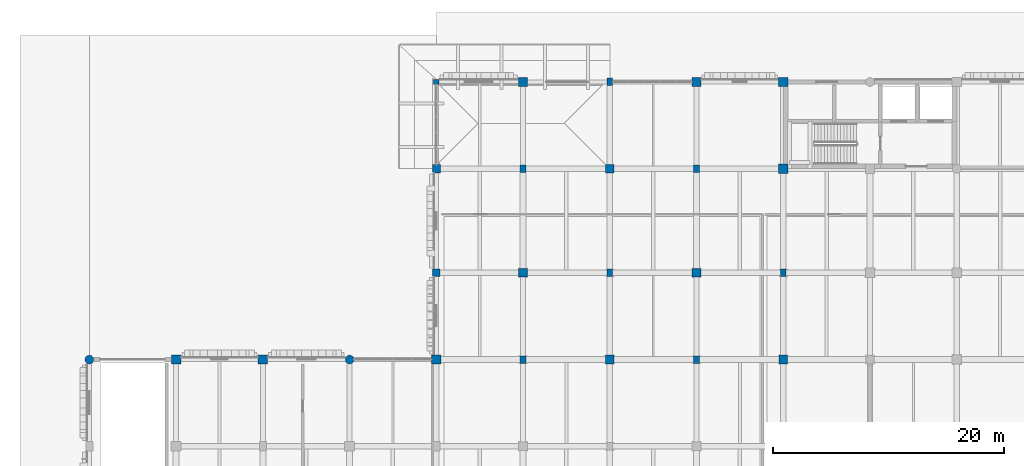
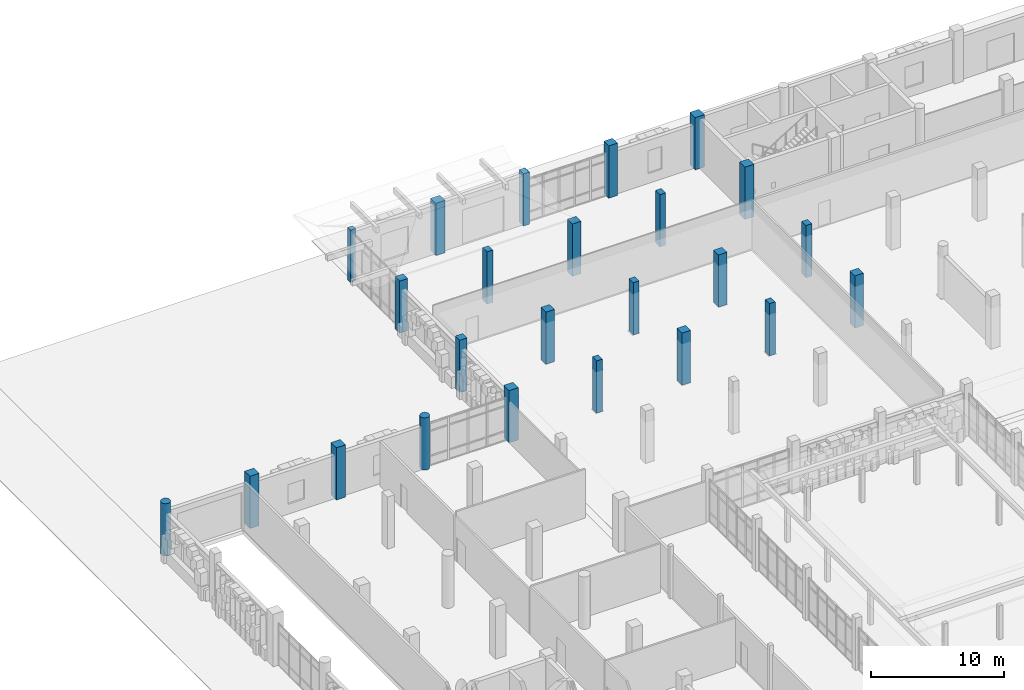
# One storey, part 9 of 125: 24 columns.
"""IFC4 building model written with IfcOpenShell, lengths in metres."""

import ifcopenshell
import ifcopenshell.guid

model = None  # the IFC model being written
_history = None  # IfcOwnerHistory: only IFC2X3 demands one
_inside = {}  # id of a spatial element -> (the spatial element, [elements in it])
_under = {}  # id of a project, library or spatial element -> (it, [spatial elements below it])
_declared = {}  # id of a project -> (the project, [libraries it declares])
_typed = {}  # id of a type object -> (the type object, [elements of that type])
_made_of = {}  # id of a material, layer set ... -> (it, [elements and type objects made of it])


def new_model(schema):
    """Start an empty IFC model of exactly this schema.

    Asked for "IFC4X3", IfcOpenShell would pick the latest addendum, in which some entities
    have other attributes; the version numbers below select the first issue.
    IFC2X3 requires an IfcOwnerHistory on every rooted entity: one is made here for all.
    """
    global model, _history
    if schema == "IFC4X3":
        model = ifcopenshell.file(schema_version=(4, 3, 0, 0))
    else:
        model = ifcopenshell.file(schema=schema)
    _inside.clear()
    _under.clear()
    _declared.clear()
    _typed.clear()
    _made_of.clear()
    _history = None
    if model.schema == "IFC2X3":
        org = make("IfcOrganization", Name="unknown")
        user = make(
            "IfcPersonAndOrganization",
            ThePerson=make("IfcPerson", FamilyName="unknown"),
            TheOrganization=org,
        )
        app = make(
            "IfcApplication",
            ApplicationDeveloper=org,
            Version="unknown",
            ApplicationFullName="unknown",
            ApplicationIdentifier="unknown",
        )
        _history = make(
            "IfcOwnerHistory",
            OwningUser=user,
            OwningApplication=app,
            ChangeAction="ADDED",
            CreationDate=0,
        )
    return model


def make(cls, **values):
    """One entity of the class cls with the attributes given. An attribute that is None is left unset."""
    return model.create_entity(
        cls, **{name: value for name, value in values.items() if value is not None}
    )


def rooted(cls, **values):
    """An entity with a GlobalId (a new one), such as an element, a storey or a relation."""
    return make(cls, GlobalId=ifcopenshell.guid.new(), OwnerHistory=_history, **values)


def si_unit(unit_type, name, prefix=None):
    """IfcSIUnit, for example si_unit("LENGTHUNIT", "METRE", prefix="MILLI")."""
    return make("IfcSIUnit", UnitType=unit_type, Prefix=prefix, Name=name)


def assignment(units):
    """IfcUnitAssignment: the units of a project."""
    return None if units is None else make("IfcUnitAssignment", Units=units)


def point(xyz):
    """IfcCartesianPoint."""
    return None if xyz is None else make("IfcCartesianPoint", Coordinates=xyz)


def direction(xyz):
    """IfcDirection."""
    return None if xyz is None else make("IfcDirection", DirectionRatios=xyz)


def frame(location, z_axis=None, x_axis=None):
    """IfcAxis2Placement3D, a coordinate frame: its origin and axes. An axis left out is left unset."""
    return make(
        "IfcAxis2Placement3D",
        Location=point(location),
        Axis=direction(z_axis),
        RefDirection=direction(x_axis),
    )


def frame_2d(location, x_axis=None):
    """IfcAxis2Placement2D, a coordinate frame in the plane: its origin and x axis."""
    return make(
        "IfcAxis2Placement2D", Location=point(location), RefDirection=direction(x_axis)
    )


def origin():
    """The frame at (0, 0, 0) with its axes left unset."""
    return frame((0.0, 0.0, 0.0))


def origin_2d():
    """The frame at (0, 0) in the plane with its x axis left unset."""
    return frame_2d((0.0, 0.0))


def place(relative_to, where):
    """IfcLocalPlacement: puts the frame where relative to a parent placement (None: the world)."""
    return make(
        "IfcLocalPlacement", PlacementRelTo=relative_to, RelativePlacement=where
    )


def context(
    kind, dimensions, precision=None, world=None, true_north=None, identifier=None
):
    """IfcGeometricRepresentationContext, for example the 3D "Model" context."""
    return make(
        "IfcGeometricRepresentationContext",
        ContextIdentifier=identifier,
        ContextType=kind,
        CoordinateSpaceDimension=dimensions,
        Precision=precision,
        WorldCoordinateSystem=world,
        TrueNorth=true_north,
    )


def subcontext(parent, identifier, kind, view, scale=None):
    """IfcGeometricRepresentationSubContext, for example "Body" below "Model"."""
    return make(
        "IfcGeometricRepresentationSubContext",
        ContextIdentifier=identifier,
        ContextType=kind,
        ParentContext=parent,
        TargetScale=scale,
        TargetView=view,
    )


def project(units=None, contexts=None):
    """IfcProject with its units and contexts."""
    return rooted(
        "IfcProject",
        Name="project",
        RepresentationContexts=contexts,
        UnitsInContext=assignment(units),
    )


def spatial(cls, under=None, at=None, **own):
    """A site, building, storey or space (cls), placed at a placement, below another one or the project."""
    s = rooted(cls, ObjectPlacement=at, **own)
    if under is not None:
        _under.setdefault(under.id(), (under, []))[1].append(s)
    return s


def profile(cls, at=None, kind="AREA", **sizes):
    """A parametric profile (cls). Its sizes go by their IFC names, for example OverallWidth=200.0."""
    return make(cls, ProfileType=kind, Position=at, **sizes)


def rectangle(**sizes):
    """IfcRectangleProfileDef."""
    return profile("IfcRectangleProfileDef", **sizes)


def circle(**sizes):
    """IfcCircleProfileDef."""
    return profile("IfcCircleProfileDef", **sizes)


def extrude(swept, where, along, depth):
    """IfcExtrudedAreaSolid: the profile swept, set in the frame where, extruded along a direction by depth."""
    return make(
        "IfcExtrudedAreaSolid",
        SweptArea=swept,
        Position=where,
        ExtrudedDirection=direction(along),
        Depth=depth,
    )


def shape(context_of_items, identifier, shape_type, items):
    """IfcShapeRepresentation: the items that make up one representation, for example the "Body"."""
    return make(
        "IfcShapeRepresentation",
        ContextOfItems=context_of_items,
        RepresentationIdentifier=identifier,
        RepresentationType=shape_type,
        Items=items,
    )


def material(Name=None, Category=None):
    """IfcMaterial."""
    return make("IfcMaterial", Name=Name, Category=Category)


def material_profile(
    of_material, cross_section, Name=None, Category=None, Priority=None
):
    """IfcMaterialProfile: a cross section and its material."""
    return make(
        "IfcMaterialProfile",
        Name=Name,
        Material=of_material,
        Profile=cross_section,
        Priority=Priority,
        Category=Category,
    )


def profile_set(profiles, Name=None, composite=None):
    """IfcMaterialProfileSet."""
    return make(
        "IfcMaterialProfileSet",
        Name=Name,
        MaterialProfiles=profiles,
        CompositeProfile=composite,
    )


def made_of(thing, what):
    """Note that an element or type object is made of a material, layer set ...; save() writes the relation."""
    if what is not None:
        _made_of.setdefault(what.id(), (what, []))[1].append(thing)
    return thing


def type_object(cls, material=None, **own):
    """A type object (cls), such as IfcWallType, which elements share."""
    return made_of(rooted(cls, **own), material)


def element(
    cls,
    number,
    at=None,
    inside=None,
    cuts=None,
    type_object=None,
    material=None,
    context=None,
    identifier="Body",
    shape_type=None,
    held_by="IfcProductDefinitionShape",
    body=None,
    shapes=None,
    **own,
):
    """One element of the class cls, such as IfcWall. Its Tag is "e" and its number.

    at: its placement. inside: the storey or other place that contains it. cuts: it is an
    opening in that element (IfcRelVoidsElement). A single representation is given by context,
    identifier, shape_type and body (its items); several are given by shapes. held_by: the class
    of the entity that holds the representations. save() writes the other relations.
    """
    e = rooted(cls, Tag="e%d" % number, ObjectPlacement=at, **own)
    if body is not None:
        shapes = [shape(context, identifier, shape_type, body)]
    if shapes is not None:
        e.Representation = make(held_by, Representations=shapes)
    if inside is not None:
        _inside.setdefault(inside.id(), (inside, []))[1].append(e)
    if cuts is not None:
        rooted(
            "IfcRelVoidsElement", RelatingBuildingElement=cuts, RelatedOpeningElement=e
        )
    if type_object is not None:
        _typed.setdefault(type_object.id(), (type_object, []))[1].append(e)
    return made_of(e, material)


def aggregate(whole, parts):
    """IfcRelAggregates: a whole, such as a stair, and the parts it consists of."""
    return rooted("IfcRelAggregates", RelatingObject=whole, RelatedObjects=parts)


def save(model, path):
    """Write the relations noted so far, then the file.

    IfcRelAggregates (storeys below a building ...), IfcRelContainedInSpatialStructure (elements
    in a storey), IfcRelDefinesByType, IfcRelAssociatesMaterial and IfcRelDeclares: one each for
    every whole, place, type object, material and project.
    """
    for whole, parts in _under.values():
        aggregate(whole, parts)
    for where, things in _inside.values():
        rooted(
            "IfcRelContainedInSpatialStructure",
            RelatedElements=things,
            RelatingStructure=where,
        )
    for kind, things in _typed.values():
        rooted("IfcRelDefinesByType", RelatedObjects=things, RelatingType=kind)
    for what, things in _made_of.values():
        rooted("IfcRelAssociatesMaterial", RelatedObjects=things, RelatingMaterial=what)
    for by, libraries in _declared.values():
        rooted("IfcRelDeclares", RelatingContext=by, RelatedDefinitions=libraries)
    model.write(path)


model = new_model("IFC4")

# Units and contexts
model_context = context("Model", 3, precision=1e-05, world=origin(), true_north=direction((0.0, 1.0)))
body_context = subcontext(model_context, "Body", "Model", "MODEL_VIEW")
ifc_project = project(units=[si_unit("LENGTHUNIT", "METRE"), si_unit("AREAUNIT", "SQUARE_METRE"), si_unit("VOLUMEUNIT", "CUBIC_METRE"), si_unit("PLANEANGLEUNIT", "RADIAN"), si_unit("MASSUNIT", "GRAM", prefix="KILO")], contexts=[model_context])

# Site, building, storey
site_placement = place(None, origin())
site = spatial("IfcSite", under=ifc_project, at=site_placement, CompositionType="ELEMENT")
building_placement = place(site_placement, origin())
building = spatial("IfcBuilding", under=site, at=building_placement, Name="Dalvernix Boulevard General Hospital", CompositionType="ELEMENT")
storey_placement = place(building_placement, origin())
storey = spatial("IfcBuildingStorey", under=building, at=storey_placement, Name="L00", CompositionType="ELEMENT", Elevation=0.0)

# Columns
ifc_material = material(Name="Concrete C40/50", Category="concrete")
ifc_material_profile_1 = material_profile(ifc_material, rectangle(XDim=0.800048828125, YDim=0.800048828125, at=origin_2d()), Name="RC 800x800")
ifc_profile_set_1 = profile_set([ifc_material_profile_1], Name="Concrete C40/50")
column_type_1 = type_object("IfcColumnType", Name="COL-C-03-E", PredefinedType="COLUMN", material=ifc_profile_set_1)
for number, where, z_axis, x_axis, name in (
    (1, (7.5, 93.0, 0.0), (0.0, 0.0, 1.0), (1.0, 0.0, 0.0), "L00 column 2N"),
    (2, (15.0, 93.0, 0.0), (0.0, 0.0, 1.0), (1.0, 0.0, 0.0), "L00 column 3N"),
    (3, (30.0, 93.0, 0.0), (0.0, 0.0, 1.0), (1.0, 0.0, 0.0), "L00 column 5N"),
    (4, (37.5, 117.0, 0.0), (0.0, 0.0, 1.0), (1.0, 0.0, 0.0), "L00 column 6R"),
    (5, (60.0, 117.0, 0.0), (0.0, 0.0, 1.0), (1.0, 0.0, 0.0), "L00 column 9R"),
):
    element("IfcColumn", number, at=place(storey_placement, frame(where, z_axis=z_axis, x_axis=x_axis)), inside=storey, type_object=column_type_1, Name=name, PredefinedType="COLUMN", context=body_context, shape_type="SweptSolid", body=[
        extrude(rectangle(XDim=0.800048828125, YDim=0.800048828125, at=origin_2d()), origin(), (0.0, 0.0, 1.0), 4.800048828125),
    ])
ifc_material_profile_2 = material_profile(ifc_material, rectangle(XDim=0.800048828125, YDim=0.800048828125, at=origin_2d()), Name="RC 800x800")
ifc_profile_set_2 = profile_set([ifc_material_profile_2], Name="Concrete C40/50")
column_type_2 = type_object("IfcColumnType", Name="COL-C-03-I", PredefinedType="COLUMN", material=ifc_profile_set_2)
column_1_placement = place(storey_placement, frame((60.0, 109.5, 0.0), z_axis=(0.0, 0.0, 1.0), x_axis=(1.0, 0.0, 0.0)))
element("IfcColumn", 6, at=column_1_placement, inside=storey, type_object=column_type_2, Name="L00 column 9Q", PredefinedType="COLUMN", context=body_context, shape_type="SweptSolid", body=[
    extrude(rectangle(XDim=0.800048828125, YDim=0.800048828125, at=origin_2d()), origin(), (0.0, 0.0, 1.0), 4.800048828125),
])
ifc_material_profile_3 = material_profile(ifc_material, rectangle(XDim=0.75, YDim=0.75, at=origin_2d()), Name="RC 750x750")
ifc_profile_set_3 = profile_set([ifc_material_profile_3], Name="Concrete C40/50")
column_type_3 = type_object("IfcColumnType", Name="COL-C-04-E", PredefinedType="COLUMN", material=ifc_profile_set_3)
column_2_placement = place(storey_placement, frame((52.5, 117.0, 0.0), z_axis=(0.0, 0.0, 1.0), x_axis=(1.0, 0.0, 0.0)))
element("IfcColumn", 7, at=column_2_placement, inside=storey, type_object=column_type_3, Name="L00 column 8R", PredefinedType="COLUMN", context=body_context, shape_type="SweptSolid", body=[
    extrude(rectangle(XDim=0.75, YDim=0.75, at=origin_2d()), origin(), (0.0, 0.0, 1.0), 4.800048828125),
])
ifc_material_profile_4 = material_profile(ifc_material, rectangle(XDim=0.75, YDim=0.75, at=origin_2d()), Name="RC 750x750")
ifc_profile_set_4 = profile_set([ifc_material_profile_4], Name="Concrete C40/50")
column_type_4 = type_object("IfcColumnType", Name="COL-C-04-I", PredefinedType="COLUMN", material=ifc_profile_set_4)
for number, where, z_axis, x_axis, name in (
    (8, (37.5, 100.5, 0.0), (0.0, 0.0, 1.0), (1.0, 0.0, 0.0), "L00 column 6P"),
    (9, (45.0, 93.0, 0.0), (0.0, 0.0, 1.0), (1.0, 0.0, 0.0), "L00 column 7N"),
    (10, (45.0, 109.5, 0.0), (0.0, 0.0, 1.0), (1.0, 0.0, 0.0), "L00 column 7Q"),
    (11, (52.5, 100.5, 0.0), (0.0, 0.0, 1.0), (1.0, 0.0, 0.0), "L00 column 8P"),
    (12, (60.0, 93.0, 0.0), (0.0, 0.0, 1.0), (1.0, 0.0, 0.0), "L00 column 9N"),
):
    element("IfcColumn", number, at=place(storey_placement, frame(where, z_axis=z_axis, x_axis=x_axis)), inside=storey, type_object=column_type_4, Name=name, PredefinedType="COLUMN", context=body_context, shape_type="SweptSolid", body=[
        extrude(rectangle(XDim=0.75, YDim=0.75, at=origin_2d()), origin(), (0.0, 0.0, 1.0), 4.800048828125),
    ])
ifc_material_profile_5 = material_profile(ifc_material, rectangle(XDim=0.699951171875, YDim=0.699951171875, at=origin_2d()), Name="RC 700x700")
ifc_profile_set_5 = profile_set([ifc_material_profile_5], Name="Concrete C40/50")
column_type_5 = type_object("IfcColumnType", Name="COL-C-05-E", PredefinedType="COLUMN", material=ifc_profile_set_5)
column_3_placement = place(storey_placement, frame((30.0, 109.5, 0.0), z_axis=(0.0, 0.0, 1.0), x_axis=(1.0, 0.0, 0.0)))
element("IfcColumn", 13, at=column_3_placement, inside=storey, type_object=column_type_5, Name="L00 column 5Q", PredefinedType="COLUMN", context=body_context, shape_type="SweptSolid", body=[
    extrude(rectangle(XDim=0.699951171875, YDim=0.699951171875, at=origin_2d()), origin(), (0.0, 0.0, 1.0), 4.800048828125),
])
ifc_material_profile_6 = material_profile(ifc_material, rectangle(XDim=0.64990234375, YDim=0.64990234375, at=origin_2d()), Name="RC 650x650")
ifc_profile_set_6 = profile_set([ifc_material_profile_6], Name="Concrete C40/50")
column_type_6 = type_object("IfcColumnType", Name="COL-C-06-E", PredefinedType="COLUMN", material=ifc_profile_set_6)
column_4_placement = place(storey_placement, frame((30.0, 100.5, 0.0), z_axis=(0.0, 0.0, 1.0), x_axis=(1.0, 0.0, 0.0)))
element("IfcColumn", 14, at=column_4_placement, inside=storey, type_object=column_type_6, Name="L00 column 5P", PredefinedType="COLUMN", context=body_context, shape_type="SweptSolid", body=[
    extrude(rectangle(XDim=0.64990234375, YDim=0.64990234375, at=origin_2d()), origin(), (0.0, 0.0, 1.0), 4.800048828125),
])
ifc_material_profile_7 = material_profile(ifc_material, rectangle(XDim=0.449951171875, YDim=0.449951171875, at=origin_2d()), Name="RC 450x450")
ifc_profile_set_7 = profile_set([ifc_material_profile_7], Name="Concrete C40/50")
column_type_7 = type_object("IfcColumnType", Name="COL-C-10-E", PredefinedType="COLUMN", material=ifc_profile_set_7)
column_5_placement = place(storey_placement, frame((30.0, 117.0, 0.0), z_axis=(0.0, 0.0, 1.0), x_axis=(1.0, 0.0, 0.0)))
element("IfcColumn", 15, at=column_5_placement, inside=storey, type_object=column_type_7, Name="L00 column 5R", PredefinedType="COLUMN", context=body_context, shape_type="SweptSolid", body=[
    extrude(rectangle(XDim=0.449951171875, YDim=0.449951171875, at=origin_2d()), origin(), (0.0, 0.0, 1.0), 4.800048828125),
])
ifc_material_profile_8 = material_profile(ifc_material, rectangle(XDim=0.5, YDim=0.64990234375, at=origin_2d()), Name="RC 500x650")
ifc_profile_set_8 = profile_set([ifc_material_profile_8], Name="Concrete C40/50")
column_type_8 = type_object("IfcColumnType", Name="COL-C-12-E", PredefinedType="COLUMN", material=ifc_profile_set_8)
column_6_placement = place(storey_placement, frame((45.0, 117.0, 0.0), z_axis=(0.0, 0.0, 1.0), x_axis=(1.0, 0.0, 0.0)))
element("IfcColumn", 16, at=column_6_placement, inside=storey, type_object=column_type_8, Name="L00 column 7R", PredefinedType="COLUMN", context=body_context, shape_type="SweptSolid", body=[
    extrude(rectangle(XDim=0.5, YDim=0.64990234375, at=origin_2d()), origin(), (0.0, 0.0, 1.0), 4.800048828125),
])
ifc_material_profile_9 = material_profile(ifc_material, rectangle(XDim=0.5, YDim=0.64990234375, at=origin_2d()), Name="RC 500x650")
ifc_profile_set_9 = profile_set([ifc_material_profile_9], Name="Concrete C40/50")
column_type_9 = type_object("IfcColumnType", Name="COL-C-12-I", PredefinedType="COLUMN", material=ifc_profile_set_9)
for number, where, z_axis, x_axis, name in (
    (17, (37.5, 93.0, 0.0), (0.0, 0.0, 1.0), (1.0, 0.0, 0.0), "L00 column 6N"),
    (18, (37.5, 109.5, 0.0), (0.0, 0.0, 1.0), (1.0, 0.0, 0.0), "L00 column 6Q"),
    (19, (45.0, 100.5, 0.0), (0.0, 0.0, 1.0), (1.0, 0.0, 0.0), "L00 column 7P"),
    (20, (52.5, 93.0, 0.0), (0.0, 0.0, 1.0), (1.0, 0.0, 0.0), "L00 column 8N"),
    (21, (52.5, 109.5, 0.0), (0.0, 0.0, 1.0), (1.0, 0.0, 0.0), "L00 column 8Q"),
    (22, (60.0, 100.5, 0.0), (0.0, 0.0, 1.0), (1.0, 0.0, 0.0), "L00 column 9P"),
):
    element("IfcColumn", number, at=place(storey_placement, frame(where, z_axis=z_axis, x_axis=x_axis)), inside=storey, type_object=column_type_9, Name=name, PredefinedType="COLUMN", context=body_context, shape_type="SweptSolid", body=[
        extrude(rectangle(XDim=0.5, YDim=0.64990234375, at=origin_2d()), origin(), (0.0, 0.0, 1.0), 4.800048828125),
    ])
ifc_material_profile_10 = material_profile(ifc_material, circle(Radius=0.375, at=origin_2d()), Name="RC D750")
ifc_profile_set_10 = profile_set([ifc_material_profile_10], Name="Concrete C40/50")
column_type_10 = type_object("IfcColumnType", Name="COL-C-14-E", PredefinedType="COLUMN", material=ifc_profile_set_10)
for number, where, z_axis, x_axis, name in (
    (23, (0.0, 93.0, 0.0), (0.0, 0.0, 1.0), (1.0, 0.0, 0.0), "L00 column 1N"),
    (24, (22.5, 93.0, 0.0), (0.0, 0.0, 1.0), (1.0, 0.0, 0.0), "L00 column 4N"),
):
    element("IfcColumn", number, at=place(storey_placement, frame(where, z_axis=z_axis, x_axis=x_axis)), inside=storey, type_object=column_type_10, Name=name, PredefinedType="COLUMN", context=body_context, shape_type="SweptSolid", body=[
        extrude(circle(Radius=0.375, at=origin_2d()), origin(), (0.0, 0.0, 1.0), 4.800048828125),
    ])

save(model, "model.ifc")
